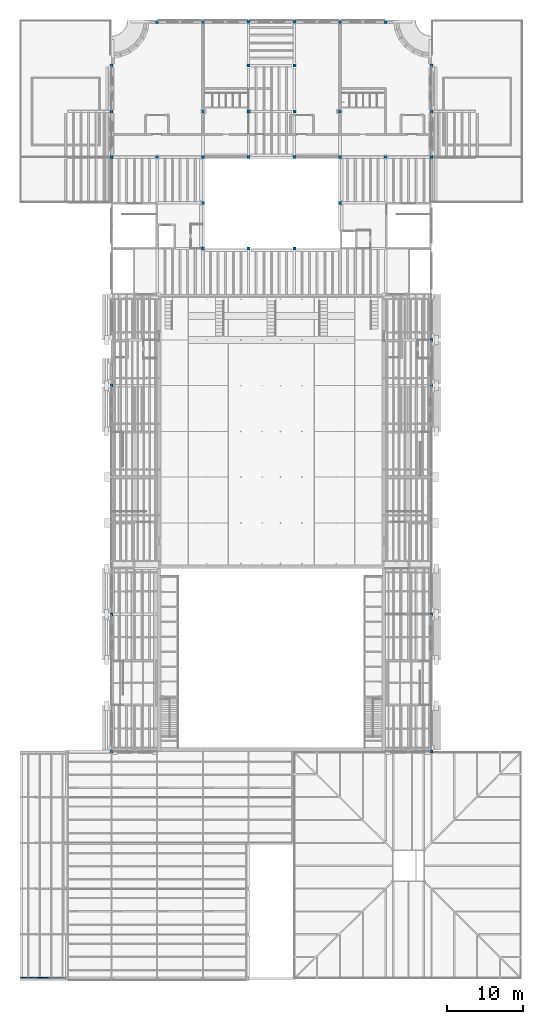
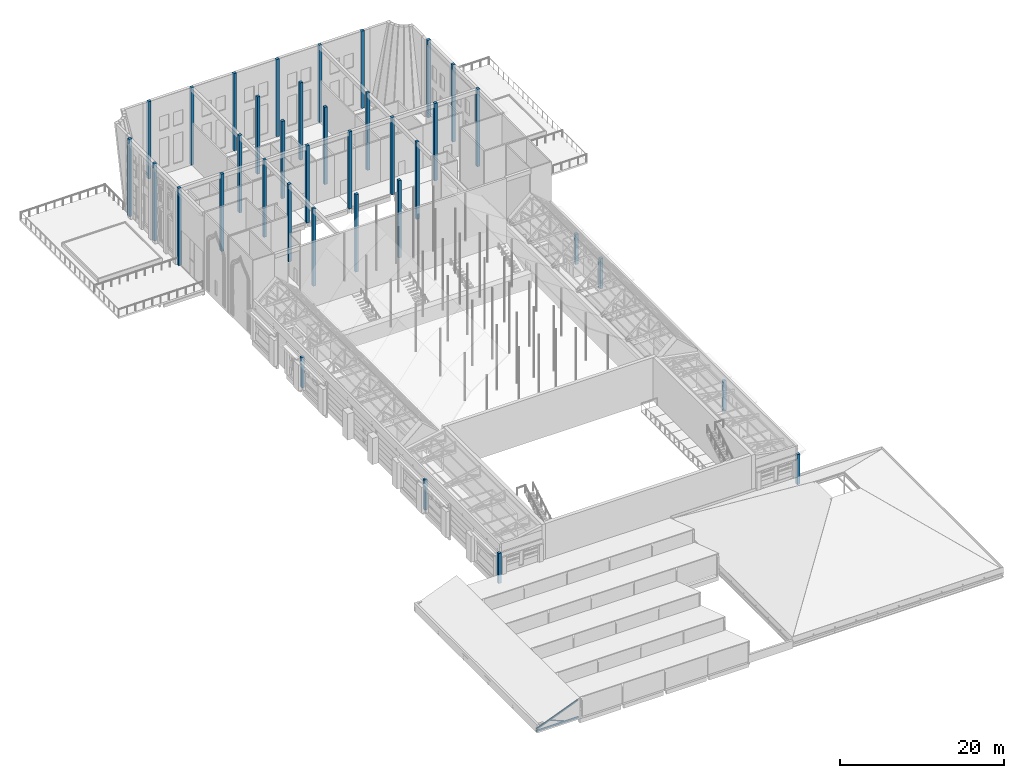
# One storey, part 1 of 118: 36 columns, 3 members.
"""IFC4 building model written with IfcOpenShell, lengths in metres."""

from ifc_helpers import new_model, si_unit, direction, frame, origin, origin_2d, place, context, subcontext, project, spatial, rectangle, hollow_rectangle, hollow_circle, extrude, material, material_profile, profile_set, type_object, element, save


model = new_model("IFC4")

# Units and contexts
model_context = context("Model", 3, precision=1e-05, world=origin(), true_north=direction((0.0, 1.0)))
body_context = subcontext(model_context, "Body", "Model", "MODEL_VIEW")
ifc_project = project(units=[si_unit("LENGTHUNIT", "METRE"), si_unit("AREAUNIT", "SQUARE_METRE"), si_unit("VOLUMEUNIT", "CUBIC_METRE"), si_unit("PLANEANGLEUNIT", "RADIAN"), si_unit("MASSUNIT", "GRAM", prefix="KILO")], contexts=[model_context])

# Site, building, storey
site_placement = place(None, origin())
site = spatial("IfcSite", under=ifc_project, at=site_placement, CompositionType="ELEMENT")
building_placement = place(site_placement, origin())
building = spatial("IfcBuilding", under=site, at=building_placement, Name="Saffron Lane Theatres", CompositionType="ELEMENT")
storey_placement = place(building_placement, frame((0.0, 0.0, 16.5)))
storey = spatial("IfcBuildingStorey", under=building, at=storey_placement, Name="L03", CompositionType="ELEMENT", Elevation=16.5)

# Columns
ifc_material_1 = material(Name="Concrete N50 (50 MPa)", Category="concrete")
ifc_material_profile_1 = material_profile(ifc_material_1, rectangle(XDim=0.39990234375, YDim=0.39990234375, at=origin_2d()))
ifc_profile_set_1 = profile_set([ifc_material_profile_1], Name="Concrete N50 (50 MPa)")
column_type = type_object("IfcColumnType", Name="RC-COL 400x400", PredefinedType="COLUMN", material=ifc_profile_set_1)
for number, where, z_axis, x_axis, name in (
    (1, (12.0, 30.0, 0.0), (0.0, 0.0, 1.0), (1.0, 0.0, 0.0), "col-L03-C6"),
    (2, (54.0, 30.0, 0.0), (0.0, 0.0, 1.0), (1.0, 0.0, 0.0), "col-L03-K6"),
    (3, (12.0, 48.0, 0.0), (0.0, 0.0, 1.0), (1.0, 0.0, 0.0), "col-L03-C9"),
    (4, (54.0, 48.0, 0.0), (0.0, 0.0, 1.0), (1.0, 0.0, 0.0), "col-L03-K9"),
    (5, (12.0, 78.0, 0.0), (0.0, 0.0, 1.0), (1.0, 0.0, 0.0), "col-L03-C14"),
    (6, (54.0, 78.0, 0.0), (0.0, 0.0, 1.0), (1.0, 0.0, 0.0), "col-L03-K14"),
    (7, (54.0, 84.0, 0.0), (0.0, 0.0, 1.0), (1.0, 0.0, 0.0), "col-L03-K15"),
):
    element("IfcColumn", number, at=place(storey_placement, frame(where, z_axis=z_axis, x_axis=x_axis)), inside=storey, type_object=column_type, Name=name, PredefinedType="COLUMN", context=body_context, shape_type="SweptSolid", body=[
        extrude(rectangle(XDim=0.39990234375, YDim=0.39990234375, at=origin_2d()), origin(), (0.0, 0.0, 1.0), 4.5),
    ])
for number, where, z_axis, x_axis, name in (
    (8, (24.0, 96.0, 0.0), (0.0, 0.0, 1.0), (1.0, 0.0, 0.0), "col-L03-E17"),
    (9, (30.0, 96.0, 0.0), (0.0, 0.0, 1.0), (1.0, 0.0, 0.0), "col-L03-F17"),
    (10, (36.0, 96.0, 0.0), (0.0, 0.0, 1.0), (1.0, 0.0, 0.0), "col-L03-G17"),
    (11, (24.0, 102.0, 0.0), (0.0, 0.0, 1.0), (1.0, 0.0, 0.0), "col-L03-E18"),
    (12, (42.0, 102.0, 0.0), (0.0, 0.0, 1.0), (1.0, 0.0, 0.0), "col-L03-H18"),
    (13, (12.0, 108.0, 0.0), (0.0, 0.0, 1.0), (1.0, 0.0, 0.0), "col-L03-C19"),
    (14, (18.0, 108.0, 0.0), (0.0, 0.0, 1.0), (1.0, 0.0, 0.0), "col-L03-D19"),
    (15, (24.0, 108.0, 0.0), (0.0, 0.0, 1.0), (1.0, 0.0, 0.0), "col-L03-E19"),
    (16, (30.0, 108.0, 0.0), (0.0, 0.0, 1.0), (1.0, 0.0, 0.0), "col-L03-F19"),
    (17, (36.0, 108.0, 0.0), (0.0, 0.0, 1.0), (1.0, 0.0, 0.0), "col-L03-G19"),
    (18, (42.0, 108.0, 0.0), (0.0, 0.0, 1.0), (1.0, 0.0, 0.0), "col-L03-H19"),
    (19, (48.0, 108.0, 0.0), (0.0, 0.0, 1.0), (1.0, 0.0, 0.0), "col-L03-J19"),
    (20, (54.0, 108.0, 0.0), (0.0, 0.0, 1.0), (1.0, 0.0, 0.0), "col-L03-K19"),
    (21, (12.0, 114.0, 0.0), (0.0, 0.0, 1.0), (1.0, 0.0, 0.0), "col-L03-C20"),
    (22, (24.0, 114.0, 0.0), (0.0, 0.0, 1.0), (1.0, 0.0, 0.0), "col-L03-E20"),
    (23, (30.0, 114.0, 0.0), (0.0, 0.0, 1.0), (1.0, 0.0, 0.0), "col-L03-F20"),
    (24, (36.0, 114.0, 0.0), (0.0, 0.0, 1.0), (1.0, 0.0, 0.0), "col-L03-G20"),
    (25, (42.0, 114.0, 0.0), (0.0, 0.0, 1.0), (1.0, 0.0, 0.0), "col-L03-H20"),
    (26, (54.0, 114.0, 0.0), (0.0, 0.0, 1.0), (1.0, 0.0, 0.0), "col-L03-K20"),
    (27, (12.0, 120.0, 0.0), (0.0, 0.0, 1.0), (1.0, 0.0, 0.0), "col-L03-C21"),
    (28, (30.0, 120.0, 0.0), (0.0, 0.0, 1.0), (1.0, 0.0, 0.0), "col-L03-F21"),
    (29, (36.0, 120.0, 0.0), (0.0, 0.0, 1.0), (1.0, 0.0, 0.0), "col-L03-G21"),
    (30, (54.0, 120.0, 0.0), (0.0, 0.0, 1.0), (1.0, 0.0, 0.0), "col-L03-K21"),
    (31, (18.0, 125.74951171875, 0.0), (0.0, 0.0, 1.0), (1.0, 0.0, 0.0), "col-L03-D22"),
    (32, (24.0, 125.724609375, 0.0), (0.0, 0.0, 1.0), (1.0, 0.0, 0.0), "col-L03-E22"),
    (33, (30.0, 125.724609375, 0.0), (0.0, 0.0, 1.0), (1.0, 0.0, 0.0), "col-L03-F22"),
    (34, (36.0, 125.724609375, 0.0), (0.0, 0.0, 1.0), (1.0, 0.0, 0.0), "col-L03-G22"),
    (35, (42.0, 125.724609375, 0.0), (0.0, 0.0, 1.0), (1.0, 0.0, 0.0), "col-L03-H22"),
    (36, (48.0, 125.74951171875, 0.0), (0.0, 0.0, 1.0), (1.0, 0.0, 0.0), "col-L03-J22"),
):
    element("IfcColumn", number, at=place(storey_placement, frame(where, z_axis=z_axis, x_axis=x_axis)), inside=storey, type_object=column_type, Name=name, PredefinedType="COLUMN", context=body_context, shape_type="SweptSolid", body=[
        extrude(rectangle(XDim=0.39990234375, YDim=0.39990234375, at=origin_2d()), origin(), (0.0, 0.0, 1.0), 11.5),
    ])

# Members
ifc_material_2 = material(Name="Steel Grade 350", Category="steel")
ifc_material_profile_2 = material_profile(ifc_material_2, hollow_rectangle(XDim=0.14990234375, YDim=0.25, WallThickness=0.009033203125, InnerFilletRadius=0.00439453125, OuterFilletRadius=0.013427734375, at=origin_2d()))
ifc_profile_set_2 = profile_set([ifc_material_profile_2], Name="Steel Grade 350")
member_type_1 = type_object("IfcMemberType", Name="ST-STUDIO TRUSS CHORD 250x150x9 RHS", PredefinedType="CHORD", material=ifc_profile_set_2)
member_1_placement = place(storey_placement, frame((0.02001953125, 0.300048828125, 0.125), z_axis=(1.0, 0.0, 0.0), x_axis=(0.0, 1.0, 0.0)))
element("IfcMember", 37, at=member_1_placement, inside=storey, type_object=member_type_1, Name="GWT1", PredefinedType="CHORD", context=body_context, shape_type="SweptSolid", body=[
    extrude(hollow_rectangle(XDim=0.14990234375, YDim=0.25, WallThickness=0.009033203125, InnerFilletRadius=0.00439453125, OuterFilletRadius=0.013427734375, at=origin_2d()), origin(), (0.0, 0.0, 1.0), 5.97998046875),
])
member_2_placement = place(storey_placement, frame((0.076171875, 0.300048828125, 0.414794921875), z_axis=(0.929276333654, 0.0, 0.369385294388), x_axis=(0.0, 1.0, 0.0)))
element("IfcMember", 38, at=member_2_placement, inside=storey, type_object=member_type_1, Name="GWC2", PredefinedType="CHORD", context=body_context, shape_type="SweptSolid", body=[
    extrude(hollow_rectangle(XDim=0.14990234375, YDim=0.25, WallThickness=0.009033203125, InnerFilletRadius=0.00439453125, OuterFilletRadius=0.013427734375, at=origin_2d()), origin(), (0.0, 0.0, 1.0), 6.2578125),
])
ifc_material_3 = material(Name="Steel Grade 350", Category="steel")
ifc_material_profile_3 = material_profile(ifc_material_3, hollow_circle(Radius=0.05712890625, WallThickness=0.006103515625, at=origin_2d()))
ifc_profile_set_3 = profile_set([ifc_material_profile_3], Name="Steel Grade 350")
member_type_2 = type_object("IfcMemberType", Name="ST-STUDIO TRUSS WEB 114.3x6.0 CHS", PredefinedType="BRACE", material=ifc_profile_set_3)
member_3_placement = place(storey_placement, frame((3.866455078125, 0.300048828125, 0.30322265625), z_axis=(-0.929295525906, 0.0, 0.369337008071), x_axis=(0.0, -1.0, 0.0)))
element("IfcMember", 39, at=member_3_placement, inside=storey, type_object=member_type_2, Name="GWW7", PredefinedType="BRACE", context=body_context, shape_type="SweptSolid", body=[
    extrude(hollow_circle(Radius=0.05712890625, WallThickness=0.006103515625, at=origin_2d()), origin(), (0.0, 0.0, 1.0), 1.947998046875),
])

save(model, "model.ifc")
